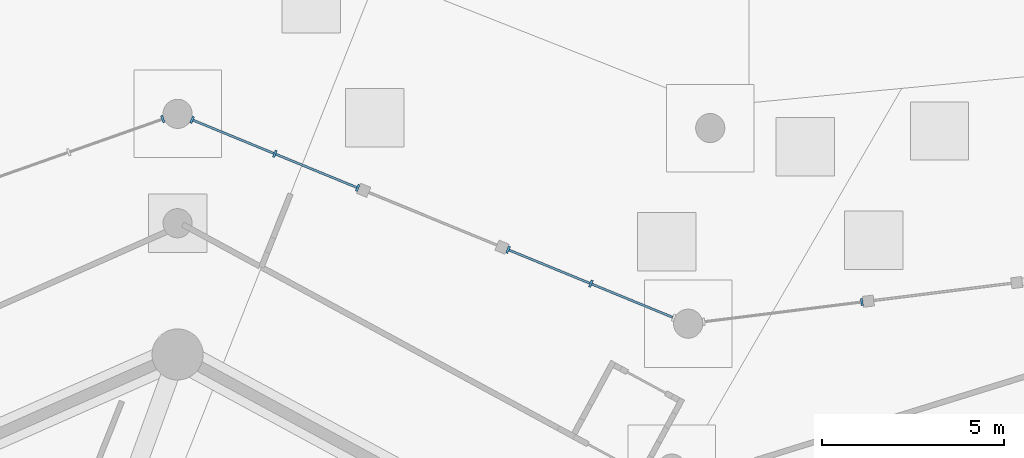
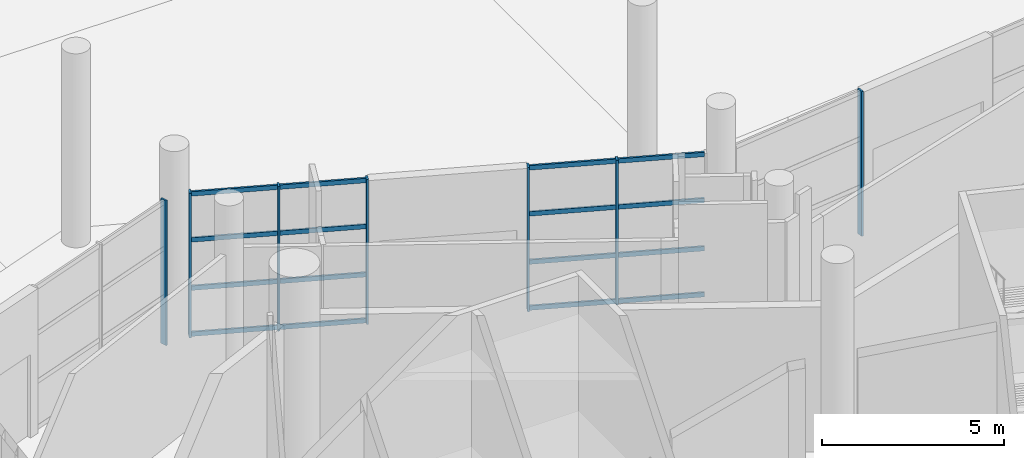
# One storey, part 64 of 255: 23 members, 4 elements without a shape of their own.
"""IFC4 building model written with IfcOpenShell, lengths in metres."""

import ifcopenshell
import ifcopenshell.guid

model = None  # the IFC model being written
_history = None  # IfcOwnerHistory: only IFC2X3 demands one
_inside = {}  # id of a spatial element -> (the spatial element, [elements in it])
_under = {}  # id of a project, library or spatial element -> (it, [spatial elements below it])
_declared = {}  # id of a project -> (the project, [libraries it declares])
_typed = {}  # id of a type object -> (the type object, [elements of that type])
_made_of = {}  # id of a material, layer set ... -> (it, [elements and type objects made of it])


def new_model(schema):
    """Start an empty IFC model of exactly this schema.

    Asked for "IFC4X3", IfcOpenShell would pick the latest addendum, in which some entities
    have other attributes; the version numbers below select the first issue.
    IFC2X3 requires an IfcOwnerHistory on every rooted entity: one is made here for all.
    """
    global model, _history
    if schema == "IFC4X3":
        model = ifcopenshell.file(schema_version=(4, 3, 0, 0))
    else:
        model = ifcopenshell.file(schema=schema)
    _inside.clear()
    _under.clear()
    _declared.clear()
    _typed.clear()
    _made_of.clear()
    _history = None
    if model.schema == "IFC2X3":
        org = make("IfcOrganization", Name="unknown")
        user = make(
            "IfcPersonAndOrganization",
            ThePerson=make("IfcPerson", FamilyName="unknown"),
            TheOrganization=org,
        )
        app = make(
            "IfcApplication",
            ApplicationDeveloper=org,
            Version="unknown",
            ApplicationFullName="unknown",
            ApplicationIdentifier="unknown",
        )
        _history = make(
            "IfcOwnerHistory",
            OwningUser=user,
            OwningApplication=app,
            ChangeAction="ADDED",
            CreationDate=0,
        )
    return model


def make(cls, **values):
    """One entity of the class cls with the attributes given. An attribute that is None is left unset."""
    return model.create_entity(
        cls, **{name: value for name, value in values.items() if value is not None}
    )


def rooted(cls, **values):
    """An entity with a GlobalId (a new one), such as an element, a storey or a relation."""
    return make(cls, GlobalId=ifcopenshell.guid.new(), OwnerHistory=_history, **values)


def si_unit(unit_type, name, prefix=None):
    """IfcSIUnit, for example si_unit("LENGTHUNIT", "METRE", prefix="MILLI")."""
    return make("IfcSIUnit", UnitType=unit_type, Prefix=prefix, Name=name)


def assignment(units):
    """IfcUnitAssignment: the units of a project."""
    return None if units is None else make("IfcUnitAssignment", Units=units)


def point(xyz):
    """IfcCartesianPoint."""
    return None if xyz is None else make("IfcCartesianPoint", Coordinates=xyz)


def direction(xyz):
    """IfcDirection."""
    return None if xyz is None else make("IfcDirection", DirectionRatios=xyz)


def frame(location, z_axis=None, x_axis=None):
    """IfcAxis2Placement3D, a coordinate frame: its origin and axes. An axis left out is left unset."""
    return make(
        "IfcAxis2Placement3D",
        Location=point(location),
        Axis=direction(z_axis),
        RefDirection=direction(x_axis),
    )


def frame_2d(location, x_axis=None):
    """IfcAxis2Placement2D, a coordinate frame in the plane: its origin and x axis."""
    return make(
        "IfcAxis2Placement2D", Location=point(location), RefDirection=direction(x_axis)
    )


def origin():
    """The frame at (0, 0, 0) with its axes left unset."""
    return frame((0.0, 0.0, 0.0))


def origin_2d():
    """The frame at (0, 0) in the plane with its x axis left unset."""
    return frame_2d((0.0, 0.0))


def place(relative_to, where):
    """IfcLocalPlacement: puts the frame where relative to a parent placement (None: the world)."""
    return make(
        "IfcLocalPlacement", PlacementRelTo=relative_to, RelativePlacement=where
    )


def context(
    kind, dimensions, precision=None, world=None, true_north=None, identifier=None
):
    """IfcGeometricRepresentationContext, for example the 3D "Model" context."""
    return make(
        "IfcGeometricRepresentationContext",
        ContextIdentifier=identifier,
        ContextType=kind,
        CoordinateSpaceDimension=dimensions,
        Precision=precision,
        WorldCoordinateSystem=world,
        TrueNorth=true_north,
    )


def subcontext(parent, identifier, kind, view, scale=None):
    """IfcGeometricRepresentationSubContext, for example "Body" below "Model"."""
    return make(
        "IfcGeometricRepresentationSubContext",
        ContextIdentifier=identifier,
        ContextType=kind,
        ParentContext=parent,
        TargetScale=scale,
        TargetView=view,
    )


def project(units=None, contexts=None):
    """IfcProject with its units and contexts."""
    return rooted(
        "IfcProject",
        Name="project",
        RepresentationContexts=contexts,
        UnitsInContext=assignment(units),
    )


def spatial(cls, under=None, at=None, **own):
    """A site, building, storey or space (cls), placed at a placement, below another one or the project."""
    s = rooted(cls, ObjectPlacement=at, **own)
    if under is not None:
        _under.setdefault(under.id(), (under, []))[1].append(s)
    return s


def profile(cls, at=None, kind="AREA", **sizes):
    """A parametric profile (cls). Its sizes go by their IFC names, for example OverallWidth=200.0."""
    return make(cls, ProfileType=kind, Position=at, **sizes)


def rectangle(**sizes):
    """IfcRectangleProfileDef."""
    return profile("IfcRectangleProfileDef", **sizes)


def extrude(swept, where, along, depth):
    """IfcExtrudedAreaSolid: the profile swept, set in the frame where, extruded along a direction by depth."""
    return make(
        "IfcExtrudedAreaSolid",
        SweptArea=swept,
        Position=where,
        ExtrudedDirection=direction(along),
        Depth=depth,
    )


def shape(context_of_items, identifier, shape_type, items):
    """IfcShapeRepresentation: the items that make up one representation, for example the "Body"."""
    return make(
        "IfcShapeRepresentation",
        ContextOfItems=context_of_items,
        RepresentationIdentifier=identifier,
        RepresentationType=shape_type,
        Items=items,
    )


def material(Name=None, Category=None):
    """IfcMaterial."""
    return make("IfcMaterial", Name=Name, Category=Category)


def layer(
    of_material, thickness, ventilated=None, Name=None, Category=None, Priority=None
):
    """IfcMaterialLayer: one layer of a wall or slab, of a material (None: an air gap)."""
    return make(
        "IfcMaterialLayer",
        Material=of_material,
        LayerThickness=thickness,
        IsVentilated=ventilated,
        Name=Name,
        Category=Category,
        Priority=Priority,
    )


def layer_set(layers, Name=None):
    """IfcMaterialLayerSet."""
    return make("IfcMaterialLayerSet", MaterialLayers=layers, LayerSetName=Name)


def material_profile(
    of_material, cross_section, Name=None, Category=None, Priority=None
):
    """IfcMaterialProfile: a cross section and its material."""
    return make(
        "IfcMaterialProfile",
        Name=Name,
        Material=of_material,
        Profile=cross_section,
        Priority=Priority,
        Category=Category,
    )


def profile_set(profiles, Name=None, composite=None):
    """IfcMaterialProfileSet."""
    return make(
        "IfcMaterialProfileSet",
        Name=Name,
        MaterialProfiles=profiles,
        CompositeProfile=composite,
    )


def made_of(thing, what):
    """Note that an element or type object is made of a material, layer set ...; save() writes the relation."""
    if what is not None:
        _made_of.setdefault(what.id(), (what, []))[1].append(thing)
    return thing


def type_object(cls, material=None, **own):
    """A type object (cls), such as IfcWallType, which elements share."""
    return made_of(rooted(cls, **own), material)


def element(
    cls,
    number,
    at=None,
    inside=None,
    cuts=None,
    type_object=None,
    material=None,
    context=None,
    identifier="Body",
    shape_type=None,
    held_by="IfcProductDefinitionShape",
    body=None,
    shapes=None,
    **own,
):
    """One element of the class cls, such as IfcWall. Its Tag is "e" and its number.

    at: its placement. inside: the storey or other place that contains it. cuts: it is an
    opening in that element (IfcRelVoidsElement). A single representation is given by context,
    identifier, shape_type and body (its items); several are given by shapes. held_by: the class
    of the entity that holds the representations. save() writes the other relations.
    """
    e = rooted(cls, Tag="e%d" % number, ObjectPlacement=at, **own)
    if body is not None:
        shapes = [shape(context, identifier, shape_type, body)]
    if shapes is not None:
        e.Representation = make(held_by, Representations=shapes)
    if inside is not None:
        _inside.setdefault(inside.id(), (inside, []))[1].append(e)
    if cuts is not None:
        rooted(
            "IfcRelVoidsElement", RelatingBuildingElement=cuts, RelatedOpeningElement=e
        )
    if type_object is not None:
        _typed.setdefault(type_object.id(), (type_object, []))[1].append(e)
    return made_of(e, material)


def aggregate(whole, parts):
    """IfcRelAggregates: a whole, such as a stair, and the parts it consists of."""
    return rooted("IfcRelAggregates", RelatingObject=whole, RelatedObjects=parts)


def save(model, path):
    """Write the relations noted so far, then the file.

    IfcRelAggregates (storeys below a building ...), IfcRelContainedInSpatialStructure (elements
    in a storey), IfcRelDefinesByType, IfcRelAssociatesMaterial and IfcRelDeclares: one each for
    every whole, place, type object, material and project.
    """
    for whole, parts in _under.values():
        aggregate(whole, parts)
    for where, things in _inside.values():
        rooted(
            "IfcRelContainedInSpatialStructure",
            RelatedElements=things,
            RelatingStructure=where,
        )
    for kind, things in _typed.values():
        rooted("IfcRelDefinesByType", RelatedObjects=things, RelatingType=kind)
    for what, things in _made_of.values():
        rooted("IfcRelAssociatesMaterial", RelatedObjects=things, RelatingMaterial=what)
    for by, libraries in _declared.values():
        rooted("IfcRelDeclares", RelatingContext=by, RelatedDefinitions=libraries)
    model.write(path)


model = new_model("IFC4")

# Units and contexts
model_context = context("Model", 3, precision=1e-05, world=origin(), true_north=direction((0.0, 1.0)))
body_context = subcontext(model_context, "Body", "Model", "MODEL_VIEW")
ifc_project = project(units=[si_unit("LENGTHUNIT", "METRE"), si_unit("AREAUNIT", "SQUARE_METRE"), si_unit("VOLUMEUNIT", "CUBIC_METRE"), si_unit("PLANEANGLEUNIT", "RADIAN"), si_unit("MASSUNIT", "GRAM", prefix="KILO")], contexts=[model_context])

# Site, building, storey
site_placement = place(None, origin())
site = spatial("IfcSite", under=ifc_project, at=site_placement, CompositionType="ELEMENT")
building_placement = place(site_placement, origin())
building = spatial("IfcBuilding", under=site, at=building_placement, Name="Meseta Stadium", CompositionType="ELEMENT")
storey_placement = place(building_placement, origin())
storey = spatial("IfcBuildingStorey", under=building, at=storey_placement, Name="L00", CompositionType="ELEMENT", Elevation=0.0)

# Curtain wall, member
ifc_material_1 = material(Name="Aluminium", Category="aluminium")
ifc_layer = layer(ifc_material_1, 0.199951171875)
ifc_layer_set = layer_set([ifc_layer], Name="Ring shopfront curtain wall")
curtain_wall_type = type_object("IfcCurtainWallType", Name="Ring shopfront curtain wall", PredefinedType="NOTDEFINED", material=ifc_layer_set)
curtain_wall_1_placement = place(storey_placement, origin())
curtain_wall_1 = element("IfcCurtainWall", 1, at=curtain_wall_1_placement, inside=storey, type_object=curtain_wall_type, Name="Shopfront glazing F14b", PredefinedType="NOTDEFINED")
ifc_material_2 = material(Name="Aluminium", Category="aluminium")
ifc_material_profile_1 = material_profile(ifc_material_2, rectangle(XDim=0.199951171875, YDim=0.06005859375, at=origin_2d()), Name="CW 200x60")
ifc_profile_set_1 = profile_set([ifc_material_profile_1], Name="Aluminium")
member_type_1 = type_object("IfcMemberType", Name="Ring CW mullion 60x200", PredefinedType="MULLION", material=ifc_profile_set_1)
member_1_placement = place(storey_placement, frame((57.1015625, 106.840087890625, 0.0), z_axis=(0.0, 0.0, 1.0), x_axis=(0.124131938531, -0.992265721385, 0.0)))
member_1 = element("IfcMember", 2, at=member_1_placement, type_object=member_type_1, Name="CWR1 mullion 1", PredefinedType="MULLION", context=body_context, shape_type="SweptSolid", body=[
    extrude(rectangle(XDim=0.199951171875, YDim=0.06005859375, at=origin_2d()), origin(), (0.0, 0.0, 1.0), 4.85009765625),
])
aggregate(curtain_wall_1, [member_1])

# Curtain wall, members
curtain_wall_2_placement = place(storey_placement, origin())
curtain_wall_2 = element("IfcCurtainWall", 3, at=curtain_wall_2_placement, inside=storey, type_object=curtain_wall_type, Name="Shopfront glazing F15a", PredefinedType="NOTDEFINED")
member_2_placement = place(storey_placement, frame((49.668701171875, 107.341064453125, 0.0), z_axis=(0.0, 0.0, 1.0), x_axis=(-0.380160781831, -0.924920418175, 0.0)))
member_2 = element("IfcMember", 4, at=member_2_placement, type_object=member_type_1, Name="CWR1 mullion 2", PredefinedType="MULLION", context=body_context, shape_type="SweptSolid", body=[
    extrude(rectangle(XDim=0.199951171875, YDim=0.06005859375, at=origin_2d()), origin(), (0.0, 0.0, 1.0), 4.85009765625),
])
member_3_placement = place(storey_placement, frame((47.39794921875, 108.2744140625, 0.0), z_axis=(0.0, 0.0, 1.0), x_axis=(-0.380160781831, -0.924920418175, 0.0)))
member_3 = element("IfcMember", 5, at=member_3_placement, type_object=member_type_1, Name="CWR1 mullion 3", PredefinedType="MULLION", context=body_context, shape_type="SweptSolid", body=[
    extrude(rectangle(XDim=0.199951171875, YDim=0.06005859375, at=origin_2d()), origin(), (0.0, 0.0, 1.0), 4.85009765625),
])

curtain_wall_3_placement = place(storey_placement, origin())
curtain_wall_3 = element("IfcCurtainWall", 6, at=curtain_wall_3_placement, inside=storey, type_object=curtain_wall_type, Name="Shopfront glazing F15b", PredefinedType="NOTDEFINED")
member_4_placement = place(storey_placement, frame((43.272705078125, 109.9697265625, 0.0), z_axis=(0.0, 0.0, 1.0), x_axis=(-0.380160781831, -0.924920418175, 0.0)))
member_4 = element("IfcMember", 7, at=member_4_placement, type_object=member_type_1, Name="CWR1 mullion 1", PredefinedType="MULLION", context=body_context, shape_type="SweptSolid", body=[
    extrude(rectangle(XDim=0.199951171875, YDim=0.06005859375, at=origin_2d()), origin(), (0.0, 0.0, 1.0), 4.85009765625),
])
member_5_placement = place(storey_placement, frame((41.001953125, 110.903076171875, 0.0), z_axis=(0.0, 0.0, 1.0), x_axis=(-0.380160781831, -0.924920418175, 0.0)))
member_5 = element("IfcMember", 8, at=member_5_placement, type_object=member_type_1, Name="CWR1 mullion 2", PredefinedType="MULLION", context=body_context, shape_type="SweptSolid", body=[
    extrude(rectangle(XDim=0.199951171875, YDim=0.06005859375, at=origin_2d()), origin(), (0.0, 0.0, 1.0), 4.85009765625),
])
member_6_placement = place(storey_placement, frame((38.73095703125, 111.83642578125, 0.0), z_axis=(0.0, 0.0, 1.0), x_axis=(-0.380160781831, -0.924920418175, 0.0)))
member_6 = element("IfcMember", 9, at=member_6_placement, type_object=member_type_1, Name="CWR1 mullion 3", PredefinedType="MULLION", context=body_context, shape_type="SweptSolid", body=[
    extrude(rectangle(XDim=0.199951171875, YDim=0.06005859375, at=origin_2d()), origin(), (0.0, 0.0, 1.0), 4.85009765625),
])

# Curtain wall, member
curtain_wall_4_placement = place(storey_placement, origin())
curtain_wall_4 = element("IfcCurtainWall", 10, at=curtain_wall_4_placement, inside=storey, type_object=curtain_wall_type, Name="Shopfront glazing F16a", PredefinedType="NOTDEFINED")
member_7_placement = place(storey_placement, frame((37.927734375, 111.857177734375, 0.0), z_axis=(0.0, 0.0, 1.0), x_axis=(0.332170000181, -0.94321953488, 0.0)))
member_7 = element("IfcMember", 11, at=member_7_placement, type_object=member_type_1, Name="CWR1 mullion 1", PredefinedType="MULLION", context=body_context, shape_type="SweptSolid", body=[
    extrude(rectangle(XDim=0.199951171875, YDim=0.06005859375, at=origin_2d()), origin(), (0.0, 0.0, 1.0), 4.85009765625),
])
aggregate(curtain_wall_4, [member_7])

# Member
ifc_material_3 = material(Name="Aluminium", Category="aluminium")
ifc_material_profile_2 = material_profile(ifc_material_3, rectangle(XDim=0.06005859375, YDim=0.14990234375, at=origin_2d()), Name="CW 60x150")
ifc_profile_set_2 = profile_set([ifc_material_profile_2], Name="Aluminium")
member_type_2 = type_object("IfcMemberType", Name="Ring CW transom 60x150", PredefinedType="USERDEFINED", material=ifc_profile_set_2)
member_8_placement = place(storey_placement, frame((51.91162109375, 106.4189453125, 0.074951171875), z_axis=(-0.924905916453, 0.380196062196, 0.0), x_axis=(-0.380196062196, -0.924905916453, 0.0)))
member_8 = element("IfcMember", 12, at=member_8_placement, type_object=member_type_2, Name="CWR1 transom 1.1", ObjectType="TRANSOM", PredefinedType="USERDEFINED", context=body_context, shape_type="SweptSolid", body=[
    extrude(rectangle(XDim=0.06005859375, YDim=0.14990234375, at=origin_2d()), origin(), (0.0, 0.0, 1.0), 2.395263671875),
])

member_9_placement = place(storey_placement, frame((51.91162109375, 106.4189453125, 1.61669921875), z_axis=(-0.924905916453, 0.380196062196, 0.0), x_axis=(-0.380196062196, -0.924905916453, 0.0)))
member_9 = element("IfcMember", 13, at=member_9_placement, type_object=member_type_2, Name="CWR1 transom 1.2", ObjectType="TRANSOM", PredefinedType="USERDEFINED", context=body_context, shape_type="SweptSolid", body=[
    extrude(rectangle(XDim=0.06005859375, YDim=0.14990234375, at=origin_2d()), origin(), (0.0, 0.0, 1.0), 2.395263671875),
])

member_10_placement = place(storey_placement, frame((51.91162109375, 106.4189453125, 3.2333984375), z_axis=(-0.924905916453, 0.380196062196, 0.0), x_axis=(-0.380196062196, -0.924905916453, 0.0)))
member_10 = element("IfcMember", 14, at=member_10_placement, type_object=member_type_2, Name="CWR1 transom 1.3", ObjectType="TRANSOM", PredefinedType="USERDEFINED", context=body_context, shape_type="SweptSolid", body=[
    extrude(rectangle(XDim=0.06005859375, YDim=0.14990234375, at=origin_2d()), origin(), (0.0, 0.0, 1.0), 2.395263671875),
])

member_11_placement = place(storey_placement, frame((51.91162109375, 106.4189453125, 4.77490234375), z_axis=(-0.924905916453, 0.380196062196, 0.0), x_axis=(-0.380196062196, -0.924905916453, 0.0)))
member_11 = element("IfcMember", 15, at=member_11_placement, type_object=member_type_2, Name="CWR1 transom 1.4", ObjectType="TRANSOM", PredefinedType="USERDEFINED", context=body_context, shape_type="SweptSolid", body=[
    extrude(rectangle(XDim=0.06005859375, YDim=0.14990234375, at=origin_2d()), origin(), (0.0, 0.0, 1.0), 2.395263671875),
])

member_12_placement = place(storey_placement, frame((49.640869140625, 107.352294921875, 0.074951171875), z_axis=(-0.924905916453, 0.380196062196, 0.0), x_axis=(-0.380196062196, -0.924905916453, 0.0)))
member_12 = element("IfcMember", 16, at=member_12_placement, type_object=member_type_2, Name="CWR1 transom 2.1", ObjectType="TRANSOM", PredefinedType="USERDEFINED", context=body_context, shape_type="SweptSolid", body=[
    extrude(rectangle(XDim=0.06005859375, YDim=0.14990234375, at=origin_2d()), origin(), (0.0, 0.0, 1.0), 2.395263671875),
])

member_13_placement = place(storey_placement, frame((49.640869140625, 107.352294921875, 1.61669921875), z_axis=(-0.924905916453, 0.380196062196, 0.0), x_axis=(-0.380196062196, -0.924905916453, 0.0)))
member_13 = element("IfcMember", 17, at=member_13_placement, type_object=member_type_2, Name="CWR1 transom 2.2", ObjectType="TRANSOM", PredefinedType="USERDEFINED", context=body_context, shape_type="SweptSolid", body=[
    extrude(rectangle(XDim=0.06005859375, YDim=0.14990234375, at=origin_2d()), origin(), (0.0, 0.0, 1.0), 2.395263671875),
])

member_14_placement = place(storey_placement, frame((49.640869140625, 107.352294921875, 3.2333984375), z_axis=(-0.924905916453, 0.380196062196, 0.0), x_axis=(-0.380196062196, -0.924905916453, 0.0)))
member_14 = element("IfcMember", 18, at=member_14_placement, type_object=member_type_2, Name="CWR1 transom 2.3", ObjectType="TRANSOM", PredefinedType="USERDEFINED", context=body_context, shape_type="SweptSolid", body=[
    extrude(rectangle(XDim=0.06005859375, YDim=0.14990234375, at=origin_2d()), origin(), (0.0, 0.0, 1.0), 2.395263671875),
])

member_15_placement = place(storey_placement, frame((49.640869140625, 107.352294921875, 4.77490234375), z_axis=(-0.924905916453, 0.380196062196, 0.0), x_axis=(-0.380196062196, -0.924905916453, 0.0)))
member_15 = element("IfcMember", 19, at=member_15_placement, type_object=member_type_2, Name="CWR1 transom 2.4", ObjectType="TRANSOM", PredefinedType="USERDEFINED", context=body_context, shape_type="SweptSolid", body=[
    extrude(rectangle(XDim=0.06005859375, YDim=0.14990234375, at=origin_2d()), origin(), (0.0, 0.0, 1.0), 2.395263671875),
])

aggregate(curtain_wall_2, [member_2, member_3, member_8, member_9, member_10, member_11, member_12, member_13, member_14, member_15])

member_16_placement = place(storey_placement, frame((43.244873046875, 109.981201171875, 0.074951171875), z_axis=(-0.924905916453, 0.380196062196, 0.0), x_axis=(-0.380196062196, -0.924905916453, 0.0)))
member_16 = element("IfcMember", 20, at=member_16_placement, type_object=member_type_2, Name="CWR1 transom 1.1", ObjectType="TRANSOM", PredefinedType="USERDEFINED", context=body_context, shape_type="SweptSolid", body=[
    extrude(rectangle(XDim=0.06005859375, YDim=0.14990234375, at=origin_2d()), origin(), (0.0, 0.0, 1.0), 2.395263671875),
])

member_17_placement = place(storey_placement, frame((43.244873046875, 109.981201171875, 1.61669921875), z_axis=(-0.924905916453, 0.380196062196, 0.0), x_axis=(-0.380196062196, -0.924905916453, 0.0)))
member_17 = element("IfcMember", 21, at=member_17_placement, type_object=member_type_2, Name="CWR1 transom 1.2", ObjectType="TRANSOM", PredefinedType="USERDEFINED", context=body_context, shape_type="SweptSolid", body=[
    extrude(rectangle(XDim=0.06005859375, YDim=0.14990234375, at=origin_2d()), origin(), (0.0, 0.0, 1.0), 2.395263671875),
])

member_18_placement = place(storey_placement, frame((43.244873046875, 109.981201171875, 3.2333984375), z_axis=(-0.924905916453, 0.380196062196, 0.0), x_axis=(-0.380196062196, -0.924905916453, 0.0)))
member_18 = element("IfcMember", 22, at=member_18_placement, type_object=member_type_2, Name="CWR1 transom 1.3", ObjectType="TRANSOM", PredefinedType="USERDEFINED", context=body_context, shape_type="SweptSolid", body=[
    extrude(rectangle(XDim=0.06005859375, YDim=0.14990234375, at=origin_2d()), origin(), (0.0, 0.0, 1.0), 2.395263671875),
])

member_19_placement = place(storey_placement, frame((43.244873046875, 109.981201171875, 4.77490234375), z_axis=(-0.924905916453, 0.380196062196, 0.0), x_axis=(-0.380196062196, -0.924905916453, 0.0)))
member_19 = element("IfcMember", 23, at=member_19_placement, type_object=member_type_2, Name="CWR1 transom 1.4", ObjectType="TRANSOM", PredefinedType="USERDEFINED", context=body_context, shape_type="SweptSolid", body=[
    extrude(rectangle(XDim=0.06005859375, YDim=0.14990234375, at=origin_2d()), origin(), (0.0, 0.0, 1.0), 2.395263671875),
])

member_20_placement = place(storey_placement, frame((40.97412109375, 110.91455078125, 0.074951171875), z_axis=(-0.924905916453, 0.380196062196, 0.0), x_axis=(-0.380196062196, -0.924905916453, 0.0)))
member_20 = element("IfcMember", 24, at=member_20_placement, type_object=member_type_2, Name="CWR1 transom 2.1", ObjectType="TRANSOM", PredefinedType="USERDEFINED", context=body_context, shape_type="SweptSolid", body=[
    extrude(rectangle(XDim=0.06005859375, YDim=0.14990234375, at=origin_2d()), origin(), (0.0, 0.0, 1.0), 2.395263671875),
])

member_21_placement = place(storey_placement, frame((40.97412109375, 110.91455078125, 1.61669921875), z_axis=(-0.924905916453, 0.380196062196, 0.0), x_axis=(-0.380196062196, -0.924905916453, 0.0)))
member_21 = element("IfcMember", 25, at=member_21_placement, type_object=member_type_2, Name="CWR1 transom 2.2", ObjectType="TRANSOM", PredefinedType="USERDEFINED", context=body_context, shape_type="SweptSolid", body=[
    extrude(rectangle(XDim=0.06005859375, YDim=0.14990234375, at=origin_2d()), origin(), (0.0, 0.0, 1.0), 2.395263671875),
])

member_22_placement = place(storey_placement, frame((40.97412109375, 110.91455078125, 3.2333984375), z_axis=(-0.924905916453, 0.380196062196, 0.0), x_axis=(-0.380196062196, -0.924905916453, 0.0)))
member_22 = element("IfcMember", 26, at=member_22_placement, type_object=member_type_2, Name="CWR1 transom 2.3", ObjectType="TRANSOM", PredefinedType="USERDEFINED", context=body_context, shape_type="SweptSolid", body=[
    extrude(rectangle(XDim=0.06005859375, YDim=0.14990234375, at=origin_2d()), origin(), (0.0, 0.0, 1.0), 2.395263671875),
])

member_23_placement = place(storey_placement, frame((40.97412109375, 110.91455078125, 4.77490234375), z_axis=(-0.924905916453, 0.380196062196, 0.0), x_axis=(-0.380196062196, -0.924905916453, 0.0)))
member_23 = element("IfcMember", 27, at=member_23_placement, type_object=member_type_2, Name="CWR1 transom 2.4", ObjectType="TRANSOM", PredefinedType="USERDEFINED", context=body_context, shape_type="SweptSolid", body=[
    extrude(rectangle(XDim=0.06005859375, YDim=0.14990234375, at=origin_2d()), origin(), (0.0, 0.0, 1.0), 2.395263671875),
])

aggregate(curtain_wall_3, [member_4, member_5, member_6, member_16, member_17, member_18, member_19, member_20, member_21, member_22, member_23])

save(model, "model.ifc")
